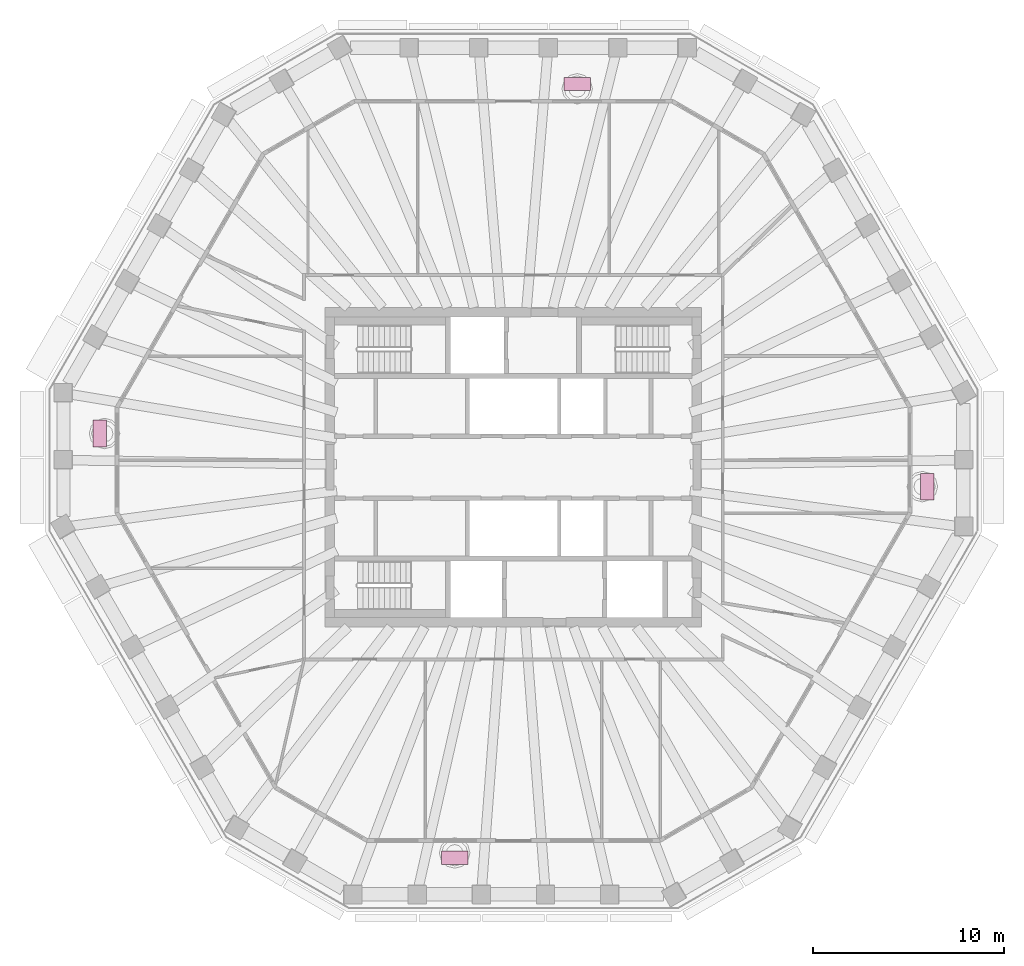
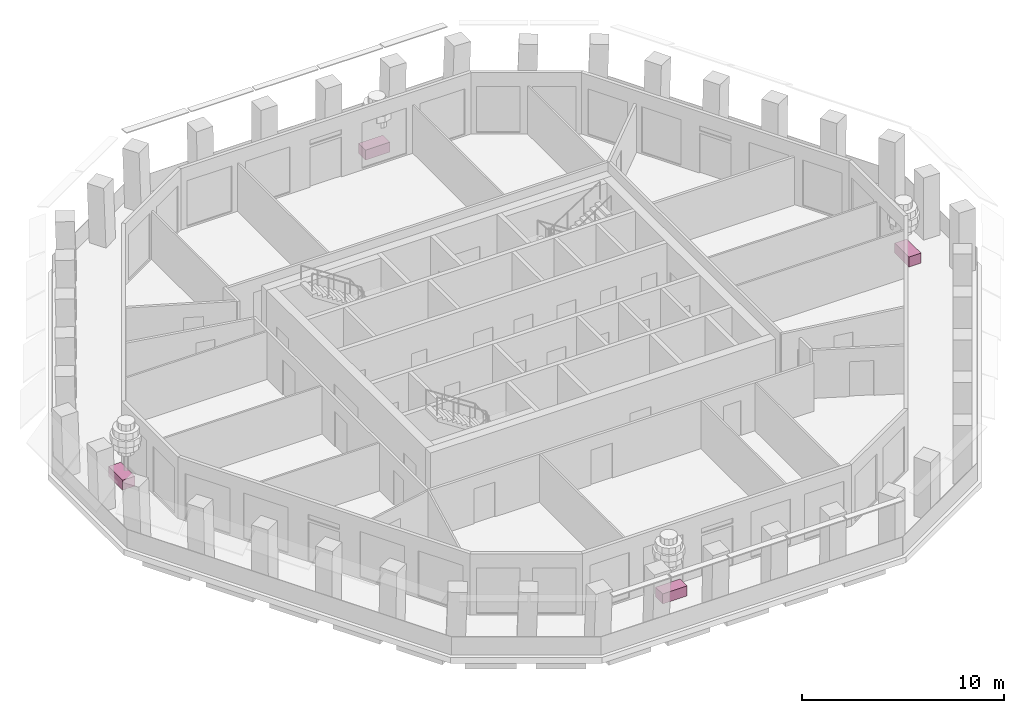
# One storey, part 10 of 11: 4 furniture elements.
"""IFC4 building model written with IfcOpenShell, lengths in metres."""

from ifc_helpers import new_model, si_unit, direction, frame, origin, origin_2d, place, context, subcontext, project, spatial, rectangle, extrude, material, type_object, element, save


model = new_model("IFC4")

# Units and contexts
model_context = context("Model", 3, precision=1e-05, world=origin(), true_north=direction((0.0, 1.0)))
body_context = subcontext(model_context, "Body", "Model", "MODEL_VIEW")
ifc_project = project(units=[si_unit("LENGTHUNIT", "METRE"), si_unit("AREAUNIT", "SQUARE_METRE"), si_unit("VOLUMEUNIT", "CUBIC_METRE"), si_unit("PLANEANGLEUNIT", "RADIAN"), si_unit("MASSUNIT", "GRAM", prefix="KILO")], contexts=[model_context])

# Site, building, storey
site_placement = place(None, origin())
site = spatial("IfcSite", under=ifc_project, at=site_placement, CompositionType="ELEMENT")
building_placement = place(site_placement, origin())
building = spatial("IfcBuilding", under=site, at=building_placement, Name="Frailejon Research Tower", CompositionType="ELEMENT")
storey_placement = place(building_placement, frame((0.0, 0.0, 275.0)))
storey = spatial("IfcBuildingStorey", under=building, at=storey_placement, Name="L60", CompositionType="ELEMENT", Elevation=275.0)

# Furniture
ifc_material = material(Name="Precast concrete C30/37 planter, terracotta", Category="masonry")
furniture_type = type_object("IfcFurnitureType", Name="Loggia planter 1400x700", AssemblyPlace="NOTDEFINED", PredefinedType="USERDEFINED", material=ifc_material)
for number, where, z_axis, x_axis, name in (
    (1, (21.6416015625, -1.01220703125, 0.0), (0.0, 0.0, 1.0), (0.0, 1.0, 0.0), "Planter L60"),
    (2, (3.33642578125, 20.050048828125, 0.0), (0.0, 0.0, 1.0), (-1.0, 0.0, 0.0), "Planter L60"),
    (3, (-21.6416015625, 1.766357421875, 0.0), (0.0, 0.0, 1.0), (0.0, -1.0, 0.0), "Planter L60"),
    (4, (-3.0751953125, -20.427001953125, 0.0), (0.0, 0.0, 1.0), (1.0, 0.0, 0.0), "Planter L60"),
):
    element("IfcFurniture", number, at=place(storey_placement, frame(where, z_axis=z_axis, x_axis=x_axis)), inside=storey, type_object=furniture_type, Name=name, ObjectType="PLANTER", PredefinedType="USERDEFINED", context=body_context, shape_type="SweptSolid", body=[
        extrude(rectangle(XDim=1.39990234375, YDim=0.699951171875, at=origin_2d()), origin(), (0.0, 0.0, 1.0), 0.60009765625),
    ])

save(model, "model.ifc")
